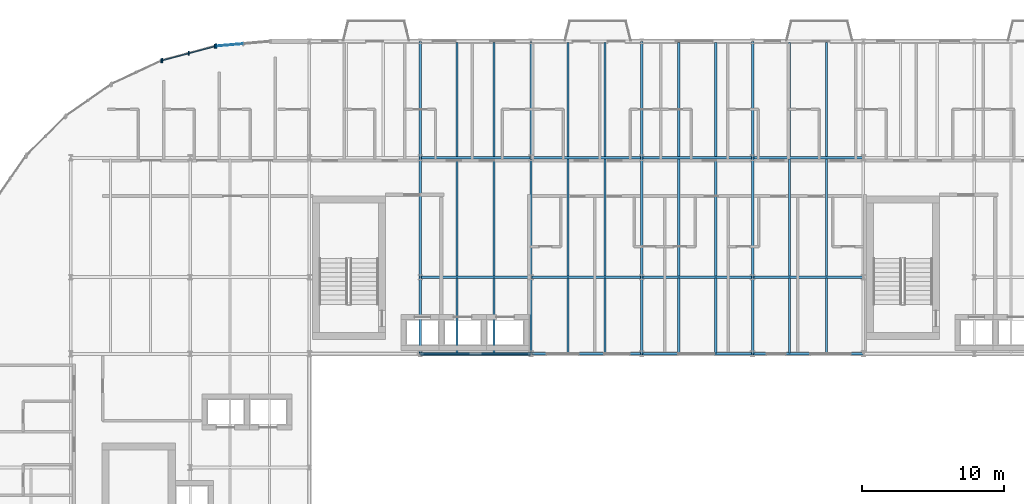
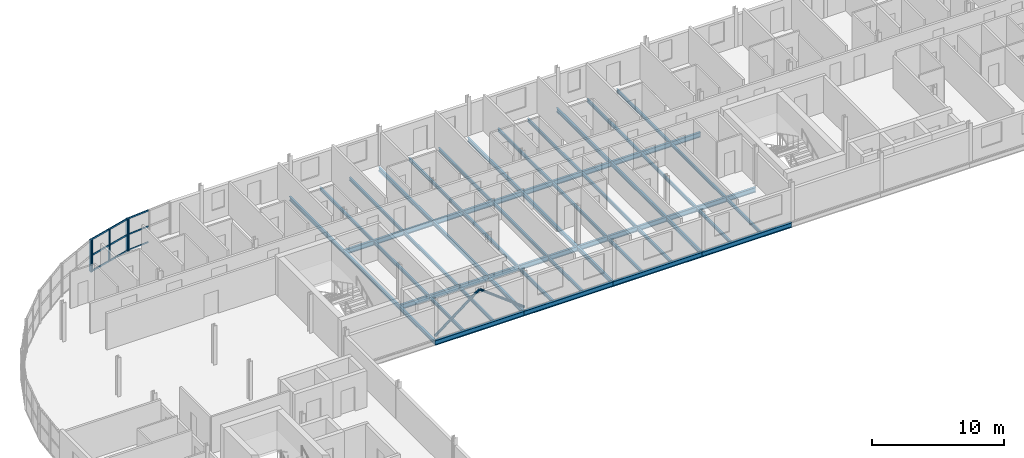
# One storey, part 8 of 25: 48 beams, 16 members, 3 elements without a shape of their own.
"""IFC4 building model written with IfcOpenShell, lengths in metres."""

from ifc_helpers import new_model, si_unit, direction, frame, origin, origin_2d, place, context, subcontext, project, spatial, rectangle, hollow_circle, i_section, extrude, material, layer, layer_set, material_profile, profile_set, type_object, element, aggregate, save


model = new_model("IFC4")

# Units and contexts
model_context = context("Model", 3, precision=1e-05, world=origin(), true_north=direction((0.0, 1.0)))
body_context = subcontext(model_context, "Body", "Model", "MODEL_VIEW")
ifc_project = project(units=[si_unit("LENGTHUNIT", "METRE"), si_unit("AREAUNIT", "SQUARE_METRE"), si_unit("VOLUMEUNIT", "CUBIC_METRE"), si_unit("PLANEANGLEUNIT", "RADIAN"), si_unit("MASSUNIT", "GRAM", prefix="KILO")], contexts=[model_context])

# Site, building, storey
site_placement = place(None, origin())
site = spatial("IfcSite", under=ifc_project, at=site_placement, CompositionType="ELEMENT")
building_placement = place(site_placement, origin())
building = spatial("IfcBuilding", under=site, at=building_placement, Name="Sefraquen Railside Congress Hotel", CompositionType="ELEMENT")
storey_placement = place(building_placement, frame((0.0, 0.0, 39.0)))
storey = spatial("IfcBuildingStorey", under=building, at=storey_placement, Name="L09", CompositionType="ELEMENT", Elevation=39.0)

# Beams
ifc_material_1 = material(Name="Steel S355JR", Category="steel")
ifc_material_profile_1 = material_profile(ifc_material_1, i_section(OverallWidth=0.169921875, OverallDepth=0.360107421875, WebThickness=0.008056640625, FlangeThickness=0.0126953125, FilletRadius=0.01806640625, at=origin_2d()), Name="IPE 360")
ifc_profile_set_1 = profile_set([ifc_material_profile_1], Name="Steel S355JR")
beam_type_1 = type_object("IfcBeamType", Name="TB-BM-360", PredefinedType="BEAM", material=ifc_profile_set_1)
beam_1_placement = place(storey_placement, frame((33.0, 96.0, -0.39990234375), z_axis=(0.0, 1.0, 0.0), x_axis=(-1.0, 0.0, 0.0)))
element("IfcBeam", 1, at=beam_1_placement, inside=storey, type_object=beam_type_1, Name="Floor beam BM-L09-2022", PredefinedType="BEAM", context=body_context, shape_type="SweptSolid", body=[
    extrude(i_section(OverallWidth=0.169921875, OverallDepth=0.360107421875, WebThickness=0.008056640625, FlangeThickness=0.0126953125, FilletRadius=0.01806640625, at=origin_2d()), origin(), (0.0, 0.0, 1.0), 5.39990234375),
])
beam_2_placement = place(storey_placement, frame((33.0, 101.39990234375, -0.39990234375), z_axis=(0.0, 1.0, 0.0), x_axis=(-1.0, 0.0, 0.0)))
element("IfcBeam", 2, at=beam_2_placement, inside=storey, type_object=beam_type_1, Name="Floor beam BM-L09-2023", PredefinedType="BEAM", context=body_context, shape_type="SweptSolid", body=[
    extrude(i_section(OverallWidth=0.169921875, OverallDepth=0.360107421875, WebThickness=0.008056640625, FlangeThickness=0.0126953125, FilletRadius=0.01806640625, at=origin_2d()), origin(), (0.0, 0.0, 1.0), 8.400146484375),
])
beam_3_placement = place(storey_placement, frame((33.0, 109.800048828125, -0.39990234375), z_axis=(0.0, 1.0, 0.0), x_axis=(-1.0, 0.0, 0.0)))
element("IfcBeam", 3, at=beam_3_placement, inside=storey, type_object=beam_type_1, Name="Floor beam BM-L09-2024", PredefinedType="BEAM", context=body_context, shape_type="SweptSolid", body=[
    extrude(i_section(OverallWidth=0.169921875, OverallDepth=0.360107421875, WebThickness=0.008056640625, FlangeThickness=0.0126953125, FilletRadius=0.01806640625, at=origin_2d()), origin(), (0.0, 0.0, 1.0), 8.199951171875),
])
beam_4_placement = place(storey_placement, frame((40.800048828125, 96.0, -0.39990234375), z_axis=(0.0, 1.0, 0.0), x_axis=(-1.0, 0.0, 0.0)))
element("IfcBeam", 4, at=beam_4_placement, inside=storey, type_object=beam_type_1, Name="Floor beam BM-L09-2025", PredefinedType="BEAM", context=body_context, shape_type="SweptSolid", body=[
    extrude(i_section(OverallWidth=0.169921875, OverallDepth=0.360107421875, WebThickness=0.008056640625, FlangeThickness=0.0126953125, FilletRadius=0.01806640625, at=origin_2d()), origin(), (0.0, 0.0, 1.0), 5.39990234375),
])
beam_5_placement = place(storey_placement, frame((40.800048828125, 101.39990234375, -0.39990234375), z_axis=(0.0, 1.0, 0.0), x_axis=(-1.0, 0.0, 0.0)))
element("IfcBeam", 5, at=beam_5_placement, inside=storey, type_object=beam_type_1, Name="Floor beam BM-L09-2026", PredefinedType="BEAM", context=body_context, shape_type="SweptSolid", body=[
    extrude(i_section(OverallWidth=0.169921875, OverallDepth=0.360107421875, WebThickness=0.008056640625, FlangeThickness=0.0126953125, FilletRadius=0.01806640625, at=origin_2d()), origin(), (0.0, 0.0, 1.0), 8.400146484375),
])
beam_6_placement = place(storey_placement, frame((40.800048828125, 109.800048828125, -0.39990234375), z_axis=(0.0, 1.0, 0.0), x_axis=(-1.0, 0.0, 0.0)))
element("IfcBeam", 6, at=beam_6_placement, inside=storey, type_object=beam_type_1, Name="Floor beam BM-L09-2027", PredefinedType="BEAM", context=body_context, shape_type="SweptSolid", body=[
    extrude(i_section(OverallWidth=0.169921875, OverallDepth=0.360107421875, WebThickness=0.008056640625, FlangeThickness=0.0126953125, FilletRadius=0.01806640625, at=origin_2d()), origin(), (0.0, 0.0, 1.0), 8.199951171875),
])
beam_7_placement = place(storey_placement, frame((48.60009765625, 96.0, -0.39990234375), z_axis=(0.0, 1.0, 0.0), x_axis=(-1.0, 0.0, 0.0)))
element("IfcBeam", 7, at=beam_7_placement, inside=storey, type_object=beam_type_1, Name="Floor beam BM-L09-2028", PredefinedType="BEAM", context=body_context, shape_type="SweptSolid", body=[
    extrude(i_section(OverallWidth=0.169921875, OverallDepth=0.360107421875, WebThickness=0.008056640625, FlangeThickness=0.0126953125, FilletRadius=0.01806640625, at=origin_2d()), origin(), (0.0, 0.0, 1.0), 5.39990234375),
])
beam_8_placement = place(storey_placement, frame((48.60009765625, 101.39990234375, -0.39990234375), z_axis=(0.0, 1.0, 0.0), x_axis=(-1.0, 0.0, 0.0)))
element("IfcBeam", 8, at=beam_8_placement, inside=storey, type_object=beam_type_1, Name="Floor beam BM-L09-2029", PredefinedType="BEAM", context=body_context, shape_type="SweptSolid", body=[
    extrude(i_section(OverallWidth=0.169921875, OverallDepth=0.360107421875, WebThickness=0.008056640625, FlangeThickness=0.0126953125, FilletRadius=0.01806640625, at=origin_2d()), origin(), (0.0, 0.0, 1.0), 8.400146484375),
])
beam_9_placement = place(storey_placement, frame((48.60009765625, 109.800048828125, -0.39990234375), z_axis=(0.0, 1.0, 0.0), x_axis=(-1.0, 0.0, 0.0)))
element("IfcBeam", 9, at=beam_9_placement, inside=storey, type_object=beam_type_1, Name="Floor beam BM-L09-2030", PredefinedType="BEAM", context=body_context, shape_type="SweptSolid", body=[
    extrude(i_section(OverallWidth=0.169921875, OverallDepth=0.360107421875, WebThickness=0.008056640625, FlangeThickness=0.0126953125, FilletRadius=0.01806640625, at=origin_2d()), origin(), (0.0, 0.0, 1.0), 8.199951171875),
])
beam_10_placement = place(storey_placement, frame((56.39990234375, 96.0, -0.39990234375), z_axis=(0.0, 1.0, 0.0), x_axis=(-1.0, 0.0, 0.0)))
element("IfcBeam", 10, at=beam_10_placement, inside=storey, type_object=beam_type_1, Name="Floor beam BM-L09-2031", PredefinedType="BEAM", context=body_context, shape_type="SweptSolid", body=[
    extrude(i_section(OverallWidth=0.169921875, OverallDepth=0.360107421875, WebThickness=0.008056640625, FlangeThickness=0.0126953125, FilletRadius=0.01806640625, at=origin_2d()), origin(), (0.0, 0.0, 1.0), 5.39990234375),
])
beam_11_placement = place(storey_placement, frame((56.39990234375, 101.39990234375, -0.39990234375), z_axis=(0.0, 1.0, 0.0), x_axis=(-1.0, 0.0, 0.0)))
element("IfcBeam", 11, at=beam_11_placement, inside=storey, type_object=beam_type_1, Name="Floor beam BM-L09-2032", PredefinedType="BEAM", context=body_context, shape_type="SweptSolid", body=[
    extrude(i_section(OverallWidth=0.169921875, OverallDepth=0.360107421875, WebThickness=0.008056640625, FlangeThickness=0.0126953125, FilletRadius=0.01806640625, at=origin_2d()), origin(), (0.0, 0.0, 1.0), 8.400146484375),
])
beam_12_placement = place(storey_placement, frame((56.39990234375, 109.800048828125, -0.39990234375), z_axis=(0.0, 1.0, 0.0), x_axis=(-1.0, 0.0, 0.0)))
element("IfcBeam", 12, at=beam_12_placement, inside=storey, type_object=beam_type_1, Name="Floor beam BM-L09-2033", PredefinedType="BEAM", context=body_context, shape_type="SweptSolid", body=[
    extrude(i_section(OverallWidth=0.169921875, OverallDepth=0.360107421875, WebThickness=0.008056640625, FlangeThickness=0.0126953125, FilletRadius=0.01806640625, at=origin_2d()), origin(), (0.0, 0.0, 1.0), 8.199951171875),
])
ifc_material_profile_2 = material_profile(ifc_material_1, i_section(OverallWidth=0.18994140625, OverallDepth=0.449951171875, WebThickness=0.009521484375, FlangeThickness=0.0146484375, FilletRadius=0.02099609375, at=origin_2d()), Name="IPE 450")
ifc_profile_set_2 = profile_set([ifc_material_profile_2], Name="Steel S355JR")
beam_type_2 = type_object("IfcBeamType", Name="TB-BM-450", PredefinedType="BEAM", material=ifc_profile_set_2)
for number, where, z_axis, x_axis, name in (
    (13, (33.0, 96.0, -0.445068359375), (1.0, 0.0, 0.0), (0.0, 1.0, 0.0), "Primary girder BM-L09-1963"),
    (14, (40.800048828125, 96.0, -0.445068359375), (1.0, 0.0, 0.0), (0.0, 1.0, 0.0), "Primary girder BM-L09-1964"),
):
    element("IfcBeam", number, at=place(storey_placement, frame(where, z_axis=z_axis, x_axis=x_axis)), inside=storey, type_object=beam_type_2, Name=name, PredefinedType="BEAM", context=body_context, shape_type="SweptSolid", body=[
        extrude(i_section(OverallWidth=0.18994140625, OverallDepth=0.449951171875, WebThickness=0.009521484375, FlangeThickness=0.0146484375, FilletRadius=0.02099609375, at=origin_2d()), origin(), (0.0, 0.0, 1.0), 7.800048828125),
    ])
beam_13_placement = place(storey_placement, frame((48.60009765625, 96.0, -0.445068359375), z_axis=(1.0, 0.0, 0.0), x_axis=(0.0, 1.0, 0.0)))
element("IfcBeam", 15, at=beam_13_placement, inside=storey, type_object=beam_type_2, Name="Primary girder BM-L09-1965", PredefinedType="BEAM", context=body_context, shape_type="SweptSolid", body=[
    extrude(i_section(OverallWidth=0.18994140625, OverallDepth=0.449951171875, WebThickness=0.009521484375, FlangeThickness=0.0146484375, FilletRadius=0.02099609375, at=origin_2d()), origin(), (0.0, 0.0, 1.0), 7.7998046875),
])
for number, where, z_axis, x_axis, name in (
    (16, (56.39990234375, 96.0, -0.445068359375), (1.0, 0.0, 0.0), (0.0, 1.0, 0.0), "Primary girder BM-L09-1966"),
    (17, (33.0, 101.39990234375, -0.445068359375), (1.0, 0.0, 0.0), (0.0, 1.0, 0.0), "Primary girder BM-L09-1973"),
    (18, (40.800048828125, 101.39990234375, -0.445068359375), (1.0, 0.0, 0.0), (0.0, 1.0, 0.0), "Primary girder BM-L09-1974"),
):
    element("IfcBeam", number, at=place(storey_placement, frame(where, z_axis=z_axis, x_axis=x_axis)), inside=storey, type_object=beam_type_2, Name=name, PredefinedType="BEAM", context=body_context, shape_type="SweptSolid", body=[
        extrude(i_section(OverallWidth=0.18994140625, OverallDepth=0.449951171875, WebThickness=0.009521484375, FlangeThickness=0.0146484375, FilletRadius=0.02099609375, at=origin_2d()), origin(), (0.0, 0.0, 1.0), 7.800048828125),
    ])
beam_14_placement = place(storey_placement, frame((48.60009765625, 101.39990234375, -0.445068359375), z_axis=(1.0, 0.0, 0.0), x_axis=(0.0, 1.0, 0.0)))
element("IfcBeam", 19, at=beam_14_placement, inside=storey, type_object=beam_type_2, Name="Primary girder BM-L09-1975", PredefinedType="BEAM", context=body_context, shape_type="SweptSolid", body=[
    extrude(i_section(OverallWidth=0.18994140625, OverallDepth=0.449951171875, WebThickness=0.009521484375, FlangeThickness=0.0146484375, FilletRadius=0.02099609375, at=origin_2d()), origin(), (0.0, 0.0, 1.0), 7.7998046875),
])
for number, where, z_axis, x_axis, name in (
    (20, (56.39990234375, 101.39990234375, -0.445068359375), (1.0, 0.0, 0.0), (0.0, 1.0, 0.0), "Primary girder BM-L09-1976"),
    (21, (33.0, 109.800048828125, -0.445068359375), (1.0, 0.0, 0.0), (0.0, 1.0, 0.0), "Primary girder BM-L09-1983"),
    (22, (40.800048828125, 109.800048828125, -0.445068359375), (1.0, 0.0, 0.0), (0.0, 1.0, 0.0), "Primary girder BM-L09-1984"),
):
    element("IfcBeam", number, at=place(storey_placement, frame(where, z_axis=z_axis, x_axis=x_axis)), inside=storey, type_object=beam_type_2, Name=name, PredefinedType="BEAM", context=body_context, shape_type="SweptSolid", body=[
        extrude(i_section(OverallWidth=0.18994140625, OverallDepth=0.449951171875, WebThickness=0.009521484375, FlangeThickness=0.0146484375, FilletRadius=0.02099609375, at=origin_2d()), origin(), (0.0, 0.0, 1.0), 7.800048828125),
    ])
beam_15_placement = place(storey_placement, frame((48.60009765625, 109.800048828125, -0.445068359375), z_axis=(1.0, 0.0, 0.0), x_axis=(0.0, 1.0, 0.0)))
element("IfcBeam", 23, at=beam_15_placement, inside=storey, type_object=beam_type_2, Name="Primary girder BM-L09-1985", PredefinedType="BEAM", context=body_context, shape_type="SweptSolid", body=[
    extrude(i_section(OverallWidth=0.18994140625, OverallDepth=0.449951171875, WebThickness=0.009521484375, FlangeThickness=0.0146484375, FilletRadius=0.02099609375, at=origin_2d()), origin(), (0.0, 0.0, 1.0), 7.7998046875),
])
beam_16_placement = place(storey_placement, frame((56.39990234375, 109.800048828125, -0.445068359375), z_axis=(1.0, 0.0, 0.0), x_axis=(0.0, 1.0, 0.0)))
element("IfcBeam", 24, at=beam_16_placement, inside=storey, type_object=beam_type_2, Name="Primary girder BM-L09-1986", PredefinedType="BEAM", context=body_context, shape_type="SweptSolid", body=[
    extrude(i_section(OverallWidth=0.18994140625, OverallDepth=0.449951171875, WebThickness=0.009521484375, FlangeThickness=0.0146484375, FilletRadius=0.02099609375, at=origin_2d()), origin(), (0.0, 0.0, 1.0), 7.800048828125),
])
ifc_material_profile_3 = material_profile(ifc_material_1, i_section(OverallWidth=0.14990234375, OverallDepth=0.300048828125, WebThickness=0.007080078125, FlangeThickness=0.0107421875, FilletRadius=0.014892578125, at=origin_2d()), Name="IPE 300")
ifc_profile_set_3 = profile_set([ifc_material_profile_3], Name="Steel S355JR")
beam_type_3 = type_object("IfcBeamType", Name="TB-JST-300", PredefinedType="JOIST", material=ifc_profile_set_3)
for number, where, z_axis, x_axis, name in (
    (25, (35.60009765625, 96.074951171875, -0.3701171875), (0.0, 1.0, 0.0), (-1.0, 0.0, 0.0), "Composite floor joist BM-L09-J1352"),
    (26, (38.199951171875, 96.074951171875, -0.3701171875), (0.0, 1.0, 0.0), (-1.0, 0.0, 0.0), "Composite floor joist BM-L09-J1353"),
):
    element("IfcBeam", number, at=place(storey_placement, frame(where, z_axis=z_axis, x_axis=x_axis)), inside=storey, type_object=beam_type_3, Name=name, PredefinedType="JOIST", context=body_context, shape_type="SweptSolid", body=[
        extrude(i_section(OverallWidth=0.14990234375, OverallDepth=0.300048828125, WebThickness=0.007080078125, FlangeThickness=0.0107421875, FilletRadius=0.014892578125, at=origin_2d()), origin(), (0.0, 0.0, 1.0), 5.25),
    ])
for number, where, z_axis, x_axis, name in (
    (27, (35.60009765625, 101.47509765625, -0.3701171875), (0.0, 1.0, 0.0), (-1.0, 0.0, 0.0), "Composite floor joist BM-L09-J1354"),
    (28, (38.199951171875, 101.47509765625, -0.3701171875), (0.0, 1.0, 0.0), (-1.0, 0.0, 0.0), "Composite floor joist BM-L09-J1355"),
):
    element("IfcBeam", number, at=place(storey_placement, frame(where, z_axis=z_axis, x_axis=x_axis)), inside=storey, type_object=beam_type_3, Name=name, PredefinedType="JOIST", context=body_context, shape_type="SweptSolid", body=[
        extrude(i_section(OverallWidth=0.14990234375, OverallDepth=0.300048828125, WebThickness=0.007080078125, FlangeThickness=0.0107421875, FilletRadius=0.014892578125, at=origin_2d()), origin(), (0.0, 0.0, 1.0), 8.25),
    ])
for number, where, z_axis, x_axis, name in (
    (29, (35.60009765625, 109.875, -0.3701171875), (0.0, 1.0, 0.0), (-1.0, 0.0, 0.0), "Composite floor joist BM-L09-J1356"),
    (30, (38.199951171875, 109.875, -0.3701171875), (0.0, 1.0, 0.0), (-1.0, 0.0, 0.0), "Composite floor joist BM-L09-J1357"),
):
    element("IfcBeam", number, at=place(storey_placement, frame(where, z_axis=z_axis, x_axis=x_axis)), inside=storey, type_object=beam_type_3, Name=name, PredefinedType="JOIST", context=body_context, shape_type="SweptSolid", body=[
        extrude(i_section(OverallWidth=0.14990234375, OverallDepth=0.300048828125, WebThickness=0.007080078125, FlangeThickness=0.0107421875, FilletRadius=0.014892578125, at=origin_2d()), origin(), (0.0, 0.0, 1.0), 8.050048828125),
    ])
for number, where, z_axis, x_axis, name in (
    (31, (43.39990234375, 96.074951171875, -0.3701171875), (0.0, 1.0, 0.0), (-1.0, 0.0, 0.0), "Composite floor joist BM-L09-J1358"),
    (32, (46.0, 96.074951171875, -0.3701171875), (0.0, 1.0, 0.0), (-1.0, 0.0, 0.0), "Composite floor joist BM-L09-J1359"),
):
    element("IfcBeam", number, at=place(storey_placement, frame(where, z_axis=z_axis, x_axis=x_axis)), inside=storey, type_object=beam_type_3, Name=name, PredefinedType="JOIST", context=body_context, shape_type="SweptSolid", body=[
        extrude(i_section(OverallWidth=0.14990234375, OverallDepth=0.300048828125, WebThickness=0.007080078125, FlangeThickness=0.0107421875, FilletRadius=0.014892578125, at=origin_2d()), origin(), (0.0, 0.0, 1.0), 5.25),
    ])
for number, where, z_axis, x_axis, name in (
    (33, (43.39990234375, 101.47509765625, -0.3701171875), (0.0, 1.0, 0.0), (-1.0, 0.0, 0.0), "Composite floor joist BM-L09-J1360"),
    (34, (46.0, 101.47509765625, -0.3701171875), (0.0, 1.0, 0.0), (-1.0, 0.0, 0.0), "Composite floor joist BM-L09-J1361"),
):
    element("IfcBeam", number, at=place(storey_placement, frame(where, z_axis=z_axis, x_axis=x_axis)), inside=storey, type_object=beam_type_3, Name=name, PredefinedType="JOIST", context=body_context, shape_type="SweptSolid", body=[
        extrude(i_section(OverallWidth=0.14990234375, OverallDepth=0.300048828125, WebThickness=0.007080078125, FlangeThickness=0.0107421875, FilletRadius=0.014892578125, at=origin_2d()), origin(), (0.0, 0.0, 1.0), 8.25),
    ])
for number, where, z_axis, x_axis, name in (
    (35, (43.39990234375, 109.875, -0.3701171875), (0.0, 1.0, 0.0), (-1.0, 0.0, 0.0), "Composite floor joist BM-L09-J1362"),
    (36, (46.0, 109.875, -0.3701171875), (0.0, 1.0, 0.0), (-1.0, 0.0, 0.0), "Composite floor joist BM-L09-J1363"),
):
    element("IfcBeam", number, at=place(storey_placement, frame(where, z_axis=z_axis, x_axis=x_axis)), inside=storey, type_object=beam_type_3, Name=name, PredefinedType="JOIST", context=body_context, shape_type="SweptSolid", body=[
        extrude(i_section(OverallWidth=0.14990234375, OverallDepth=0.300048828125, WebThickness=0.007080078125, FlangeThickness=0.0107421875, FilletRadius=0.014892578125, at=origin_2d()), origin(), (0.0, 0.0, 1.0), 8.050048828125),
    ])
for number, where, z_axis, x_axis, name in (
    (37, (51.199951171875, 96.074951171875, -0.3701171875), (0.0, 1.0, 0.0), (-1.0, 0.0, 0.0), "Composite floor joist BM-L09-J1364"),
    (38, (53.800048828125, 96.074951171875, -0.3701171875), (0.0, 1.0, 0.0), (-1.0, 0.0, 0.0), "Composite floor joist BM-L09-J1365"),
):
    element("IfcBeam", number, at=place(storey_placement, frame(where, z_axis=z_axis, x_axis=x_axis)), inside=storey, type_object=beam_type_3, Name=name, PredefinedType="JOIST", context=body_context, shape_type="SweptSolid", body=[
        extrude(i_section(OverallWidth=0.14990234375, OverallDepth=0.300048828125, WebThickness=0.007080078125, FlangeThickness=0.0107421875, FilletRadius=0.014892578125, at=origin_2d()), origin(), (0.0, 0.0, 1.0), 5.25),
    ])
for number, where, z_axis, x_axis, name in (
    (39, (51.199951171875, 101.47509765625, -0.3701171875), (0.0, 1.0, 0.0), (-1.0, 0.0, 0.0), "Composite floor joist BM-L09-J1366"),
    (40, (53.800048828125, 101.47509765625, -0.3701171875), (0.0, 1.0, 0.0), (-1.0, 0.0, 0.0), "Composite floor joist BM-L09-J1367"),
):
    element("IfcBeam", number, at=place(storey_placement, frame(where, z_axis=z_axis, x_axis=x_axis)), inside=storey, type_object=beam_type_3, Name=name, PredefinedType="JOIST", context=body_context, shape_type="SweptSolid", body=[
        extrude(i_section(OverallWidth=0.14990234375, OverallDepth=0.300048828125, WebThickness=0.007080078125, FlangeThickness=0.0107421875, FilletRadius=0.014892578125, at=origin_2d()), origin(), (0.0, 0.0, 1.0), 8.25),
    ])
for number, where, z_axis, x_axis, name in (
    (41, (51.199951171875, 109.875, -0.3701171875), (0.0, 1.0, 0.0), (-1.0, 0.0, 0.0), "Composite floor joist BM-L09-J1368"),
    (42, (53.800048828125, 109.875, -0.3701171875), (0.0, 1.0, 0.0), (-1.0, 0.0, 0.0), "Composite floor joist BM-L09-J1369"),
):
    element("IfcBeam", number, at=place(storey_placement, frame(where, z_axis=z_axis, x_axis=x_axis)), inside=storey, type_object=beam_type_3, Name=name, PredefinedType="JOIST", context=body_context, shape_type="SweptSolid", body=[
        extrude(i_section(OverallWidth=0.14990234375, OverallDepth=0.300048828125, WebThickness=0.007080078125, FlangeThickness=0.0107421875, FilletRadius=0.014892578125, at=origin_2d()), origin(), (0.0, 0.0, 1.0), 8.050048828125),
    ])
for number, where, z_axis, x_axis, name in (
    (43, (59.0, 96.074951171875, -0.3701171875), (0.0, 1.0, 0.0), (-1.0, 0.0, 0.0), "Composite floor joist BM-L09-J1370"),
    (44, (61.60009765625, 96.074951171875, -0.3701171875), (0.0, 1.0, 0.0), (-1.0, 0.0, 0.0), "Composite floor joist BM-L09-J1371"),
):
    element("IfcBeam", number, at=place(storey_placement, frame(where, z_axis=z_axis, x_axis=x_axis)), inside=storey, type_object=beam_type_3, Name=name, PredefinedType="JOIST", context=body_context, shape_type="SweptSolid", body=[
        extrude(i_section(OverallWidth=0.14990234375, OverallDepth=0.300048828125, WebThickness=0.007080078125, FlangeThickness=0.0107421875, FilletRadius=0.014892578125, at=origin_2d()), origin(), (0.0, 0.0, 1.0), 5.25),
    ])
for number, where, z_axis, x_axis, name in (
    (45, (59.0, 101.47509765625, -0.3701171875), (0.0, 1.0, 0.0), (-1.0, 0.0, 0.0), "Composite floor joist BM-L09-J1372"),
    (46, (61.60009765625, 101.47509765625, -0.3701171875), (0.0, 1.0, 0.0), (-1.0, 0.0, 0.0), "Composite floor joist BM-L09-J1373"),
):
    element("IfcBeam", number, at=place(storey_placement, frame(where, z_axis=z_axis, x_axis=x_axis)), inside=storey, type_object=beam_type_3, Name=name, PredefinedType="JOIST", context=body_context, shape_type="SweptSolid", body=[
        extrude(i_section(OverallWidth=0.14990234375, OverallDepth=0.300048828125, WebThickness=0.007080078125, FlangeThickness=0.0107421875, FilletRadius=0.014892578125, at=origin_2d()), origin(), (0.0, 0.0, 1.0), 8.25),
    ])
for number, where, z_axis, x_axis, name in (
    (47, (59.0, 109.875, -0.3701171875), (0.0, 1.0, 0.0), (-1.0, 0.0, 0.0), "Composite floor joist BM-L09-J1374"),
    (48, (61.60009765625, 109.875, -0.3701171875), (0.0, 1.0, 0.0), (-1.0, 0.0, 0.0), "Composite floor joist BM-L09-J1375"),
):
    element("IfcBeam", number, at=place(storey_placement, frame(where, z_axis=z_axis, x_axis=x_axis)), inside=storey, type_object=beam_type_3, Name=name, PredefinedType="JOIST", context=body_context, shape_type="SweptSolid", body=[
        extrude(i_section(OverallWidth=0.14990234375, OverallDepth=0.300048828125, WebThickness=0.007080078125, FlangeThickness=0.0107421875, FilletRadius=0.014892578125, at=origin_2d()), origin(), (0.0, 0.0, 1.0), 8.050048828125),
    ])

# Members
ifc_material_2 = material(Name="Steel S355J2", Category="steel")
ifc_material_profile_4 = material_profile(ifc_material_2, hollow_circle(Radius=0.109619140625, WallThickness=0.010009765625, at=origin_2d()), Name="CHS 219.1x10")
ifc_profile_set_4 = profile_set([ifc_material_profile_4], Name="Steel S355J2")
member_type_1 = type_object("IfcMemberType", Name="TM-BR-219", PredefinedType="BRACE", material=ifc_profile_set_4)
for number, where, z_axis, x_axis, name in (
    (49, (33.0, 96.0, 0.14990234375), (0.794583681994, 0.0, 0.607154652712), (0.0, 1.0, 0.0), "Chevron braced-frame diagonal BF1-L L09"),
    (50, (40.800048828125, 96.0, 0.14990234375), (-0.794602017752, 0.0, 0.607130655942), (0.0, -1.0, 0.0), "Chevron braced-frame diagonal BF1-R L09"),
):
    element("IfcMember", number, at=place(storey_placement, frame(where, z_axis=z_axis, x_axis=x_axis)), inside=storey, type_object=member_type_1, Name=name, PredefinedType="BRACE", context=body_context, shape_type="SweptSolid", body=[
        extrude(hollow_circle(Radius=0.109619140625, WallThickness=0.010009765625, at=origin_2d()), origin(), (0.0, 0.0, 1.0), 4.908203125),
    ])

# Curtain wall, member
ifc_material_3 = material(Name="Thermally broken anodised aluminium and low-E double glazing", Category="aluminium")
ifc_layer_1 = layer(ifc_material_3, 0.199951171875)
ifc_layer_set_1 = layer_set([ifc_layer_1], Name="Thermally broken anodised aluminium and low-E double glazing")
curtain_wall_type_1 = type_object("IfcCurtainWallType", Name="TCW-UCW-19", PredefinedType="USERDEFINED", material=ifc_layer_set_1)
curtain_wall_1_placement = place(storey_placement, origin())
curtain_wall_1 = element("IfcCurtainWall", 51, at=curtain_wall_1_placement, inside=storey, type_object=curtain_wall_type_1, Name="Rotunda L09 curved curtain wall facet 2", ObjectType="UNITISED CURTAIN WALL", PredefinedType="USERDEFINED")
ifc_material_4 = material(Name="Thermally broken anodised aluminium 6063-T6", Category="aluminium")
ifc_material_profile_5 = material_profile(ifc_material_4, rectangle(XDim=0.090087890625, YDim=0.280029296875, at=origin_2d()), Name="CWM 90x280")
ifc_profile_set_5 = profile_set([ifc_material_profile_5], Name="Thermally broken anodised aluminium 6063-T6")
member_type_2 = type_object("IfcMemberType", Name="TM-CWM-07", PredefinedType="MULLION", material=ifc_profile_set_5)
member_1_placement = place(storey_placement, frame((16.69873046875, 117.150634765625, 0.0), z_axis=(0.0, 0.0, 1.0), x_axis=(1.0, 0.0, 0.0)))
member_1 = element("IfcMember", 52, at=member_1_placement, type_object=member_type_2, Name="CW-L09-ROT-02 mullion 2", PredefinedType="MULLION", context=body_context, shape_type="SweptSolid", body=[
    extrude(rectangle(XDim=0.090087890625, YDim=0.280029296875, at=origin_2d()), origin(), (0.0, 0.0, 1.0), 2.929931640625),
])

ifc_layer_2 = layer(ifc_material_3, 0.199951171875)
ifc_layer_set_2 = layer_set([ifc_layer_2], Name="Thermally broken anodised aluminium and low-E double glazing")
curtain_wall_type_2 = type_object("IfcCurtainWallType", Name="TCW-UCW-18", PredefinedType="USERDEFINED", material=ifc_layer_set_2)
curtain_wall_2_placement = place(storey_placement, origin())
curtain_wall_2 = element("IfcCurtainWall", 53, at=curtain_wall_2_placement, inside=storey, type_object=curtain_wall_type_2, Name="Rotunda L09 curved curtain wall facet 1", ObjectType="UNITISED CURTAIN WALL", PredefinedType="USERDEFINED")
ifc_material_profile_6 = material_profile(ifc_material_4, rectangle(XDim=0.094970703125, YDim=0.300048828125, at=origin_2d()), Name="CWM 95x300")
ifc_profile_set_6 = profile_set([ifc_material_profile_6], Name="Thermally broken anodised aluminium 6063-T6")
member_type_3 = type_object("IfcMemberType", Name="TM-CWM-08", PredefinedType="MULLION", material=ifc_profile_set_6)
member_2_placement = place(storey_placement, frame((18.6328125, 117.66162109375, 0.0), z_axis=(0.0, 0.0, 1.0), x_axis=(1.0, 0.0, 0.0)))
member_2 = element("IfcMember", 54, at=member_2_placement, type_object=member_type_3, Name="CW-L09-ROT-01 mullion 3", PredefinedType="MULLION", context=body_context, shape_type="SweptSolid", body=[
    extrude(rectangle(XDim=0.094970703125, YDim=0.300048828125, at=origin_2d()), origin(), (0.0, 0.0, 1.0), 2.929931640625),
])

# Member
member_3_placement = place(storey_placement, frame((18.55419921875, 117.647705078125, 0.0), z_axis=(0.0, 0.0, 1.0), x_axis=(1.0, 0.0, 0.0)))
member_3 = element("IfcMember", 55, at=member_3_placement, type_object=member_type_3, Name="CW-L09-ROT-02 mullion 1", PredefinedType="MULLION", context=body_context, shape_type="SweptSolid", body=[
    extrude(rectangle(XDim=0.094970703125, YDim=0.300048828125, at=origin_2d()), origin(), (0.0, 0.0, 1.0), 2.929931640625),
])

member_4_placement = place(storey_placement, frame((14.843017578125, 116.653564453125, 0.0), z_axis=(0.0, 0.0, 1.0), x_axis=(1.0, 0.0, 0.0)))
member_4 = element("IfcMember", 56, at=member_4_placement, type_object=member_type_3, Name="CW-L09-ROT-02 mullion 3", PredefinedType="MULLION", context=body_context, shape_type="SweptSolid", body=[
    extrude(rectangle(XDim=0.094970703125, YDim=0.300048828125, at=origin_2d()), origin(), (0.0, 0.0, 1.0), 2.929931640625),
])

# Curtain wall, member
ifc_layer_3 = layer(ifc_material_3, 0.199951171875)
ifc_layer_set_3 = layer_set([ifc_layer_3], Name="Thermally broken anodised aluminium and low-E double glazing")
curtain_wall_type_3 = type_object("IfcCurtainWallType", Name="TCW-UCW-20", PredefinedType="USERDEFINED", material=ifc_layer_set_3)
curtain_wall_3_placement = place(storey_placement, origin())
curtain_wall_3 = element("IfcCurtainWall", 57, at=curtain_wall_3_placement, inside=storey, type_object=curtain_wall_type_3, Name="Rotunda L09 curved curtain wall facet 3", ObjectType="UNITISED CURTAIN WALL", PredefinedType="USERDEFINED")
member_5_placement = place(storey_placement, frame((14.768310546875, 116.626220703125, 0.0), z_axis=(0.0, 0.0, 1.0), x_axis=(1.0, 0.0, 0.0)))
member_5 = element("IfcMember", 58, at=member_5_placement, type_object=member_type_3, Name="CW-L09-ROT-03 mullion 1", PredefinedType="MULLION", context=body_context, shape_type="SweptSolid", body=[
    extrude(rectangle(XDim=0.094970703125, YDim=0.300048828125, at=origin_2d()), origin(), (0.0, 0.0, 1.0), 2.929931640625),
])
aggregate(curtain_wall_3, [member_5])

# Member
ifc_material_profile_7 = material_profile(ifc_material_4, rectangle(XDim=0.06494140625, YDim=0.135009765625, at=origin_2d()), Name="CWT 65x135")
ifc_profile_set_7 = profile_set([ifc_material_profile_7], Name="Thermally broken anodised aluminium 6063-T6")
member_type_4 = type_object("IfcMemberType", Name="TM-CWT-02", PredefinedType="USERDEFINED", material=ifc_profile_set_7)
member_6_placement = place(storey_placement, frame((20.501708984375, 117.8251953125, 0.0), z_axis=(-0.996191401715, -0.087193412302, 0.0), x_axis=(0.087193412302, -0.996191401715, 0.0)))
member_6 = element("IfcMember", 59, at=member_6_placement, type_object=member_type_4, Name="CW-L09-ROT-01 transom 1.2", ObjectType="TRANSOM", PredefinedType="USERDEFINED", context=body_context, shape_type="SweptSolid", body=[
    extrude(rectangle(XDim=0.06494140625, YDim=0.135009765625, at=origin_2d()), origin(), (0.0, 0.0, 1.0), 1.831298828125),
])

member_7_placement = place(storey_placement, frame((20.501708984375, 117.8251953125, 1.465087890625), z_axis=(-0.996191401715, -0.087193412302, 0.0), x_axis=(0.087193412302, -0.996191401715, 0.0)))
member_7 = element("IfcMember", 60, at=member_7_placement, type_object=member_type_4, Name="CW-L09-ROT-01 transom 2.2", ObjectType="TRANSOM", PredefinedType="USERDEFINED", context=body_context, shape_type="SweptSolid", body=[
    extrude(rectangle(XDim=0.06494140625, YDim=0.135009765625, at=origin_2d()), origin(), (0.0, 0.0, 1.0), 1.831298828125),
])

member_8_placement = place(storey_placement, frame((20.501708984375, 117.8251953125, 2.929931640625), z_axis=(-0.996191401715, -0.087193412302, 0.0), x_axis=(0.087193412302, -0.996191401715, 0.0)))
member_8 = element("IfcMember", 61, at=member_8_placement, type_object=member_type_4, Name="CW-L09-ROT-01 transom 3.2", ObjectType="TRANSOM", PredefinedType="USERDEFINED", context=body_context, shape_type="SweptSolid", body=[
    extrude(rectangle(XDim=0.06494140625, YDim=0.135009765625, at=origin_2d()), origin(), (0.0, 0.0, 1.0), 1.831298828125),
])

aggregate(curtain_wall_2, [member_2, member_6, member_7, member_8])

ifc_material_profile_8 = material_profile(ifc_material_4, rectangle(XDim=0.070068359375, YDim=0.14990234375, at=origin_2d()), Name="CWT 70x150")
ifc_profile_set_8 = profile_set([ifc_material_profile_8], Name="Thermally broken anodised aluminium 6063-T6")
member_type_5 = type_object("IfcMemberType", Name="TM-CWT-03", PredefinedType="USERDEFINED", material=ifc_profile_set_8)
member_9_placement = place(storey_placement, frame((18.5107421875, 117.63623046875, 0.0), z_axis=(-0.965893282759, -0.25894046868, 0.0), x_axis=(0.25894046868, -0.965893282759, 0.0)))
member_9 = element("IfcMember", 62, at=member_9_placement, type_object=member_type_5, Name="CW-L09-ROT-02 transom 1.1", ObjectType="TRANSOM", PredefinedType="USERDEFINED", context=body_context, shape_type="SweptSolid", body=[
    extrude(rectangle(XDim=0.070068359375, YDim=0.14990234375, at=origin_2d()), origin(), (0.0, 0.0, 1.0), 1.8310546875),
])

member_10_placement = place(storey_placement, frame((16.6552734375, 117.138916015625, 0.0), z_axis=(-0.965926624666, -0.258816065499, 0.0), x_axis=(0.258816065499, -0.965926624666, 0.0)))
member_10 = element("IfcMember", 63, at=member_10_placement, type_object=member_type_5, Name="CW-L09-ROT-02 transom 1.2", ObjectType="TRANSOM", PredefinedType="USERDEFINED", context=body_context, shape_type="SweptSolid", body=[
    extrude(rectangle(XDim=0.070068359375, YDim=0.14990234375, at=origin_2d()), origin(), (0.0, 0.0, 1.0), 1.8310546875),
])

member_11_placement = place(storey_placement, frame((18.5107421875, 117.63623046875, 1.465087890625), z_axis=(-0.965893282759, -0.25894046868, 0.0), x_axis=(0.25894046868, -0.965893282759, 0.0)))
member_11 = element("IfcMember", 64, at=member_11_placement, type_object=member_type_5, Name="CW-L09-ROT-02 transom 2.1", ObjectType="TRANSOM", PredefinedType="USERDEFINED", context=body_context, shape_type="SweptSolid", body=[
    extrude(rectangle(XDim=0.070068359375, YDim=0.14990234375, at=origin_2d()), origin(), (0.0, 0.0, 1.0), 1.8310546875),
])

member_12_placement = place(storey_placement, frame((16.6552734375, 117.138916015625, 1.465087890625), z_axis=(-0.965926624666, -0.258816065499, 0.0), x_axis=(0.258816065499, -0.965926624666, 0.0)))
member_12 = element("IfcMember", 65, at=member_12_placement, type_object=member_type_5, Name="CW-L09-ROT-02 transom 2.2", ObjectType="TRANSOM", PredefinedType="USERDEFINED", context=body_context, shape_type="SweptSolid", body=[
    extrude(rectangle(XDim=0.070068359375, YDim=0.14990234375, at=origin_2d()), origin(), (0.0, 0.0, 1.0), 1.8310546875),
])

member_13_placement = place(storey_placement, frame((18.5107421875, 117.63623046875, 2.929931640625), z_axis=(-0.965893282759, -0.25894046868, 0.0), x_axis=(0.25894046868, -0.965893282759, 0.0)))
member_13 = element("IfcMember", 66, at=member_13_placement, type_object=member_type_5, Name="CW-L09-ROT-02 transom 3.1", ObjectType="TRANSOM", PredefinedType="USERDEFINED", context=body_context, shape_type="SweptSolid", body=[
    extrude(rectangle(XDim=0.070068359375, YDim=0.14990234375, at=origin_2d()), origin(), (0.0, 0.0, 1.0), 1.8310546875),
])

member_14_placement = place(storey_placement, frame((16.6552734375, 117.138916015625, 2.929931640625), z_axis=(-0.965926624666, -0.258816065499, 0.0), x_axis=(0.258816065499, -0.965926624666, 0.0)))
member_14 = element("IfcMember", 67, at=member_14_placement, type_object=member_type_5, Name="CW-L09-ROT-02 transom 3.2", ObjectType="TRANSOM", PredefinedType="USERDEFINED", context=body_context, shape_type="SweptSolid", body=[
    extrude(rectangle(XDim=0.070068359375, YDim=0.14990234375, at=origin_2d()), origin(), (0.0, 0.0, 1.0), 1.8310546875),
])

aggregate(curtain_wall_1, [member_3, member_1, member_4, member_9, member_10, member_11, member_12, member_13, member_14])

save(model, "model.ifc")
